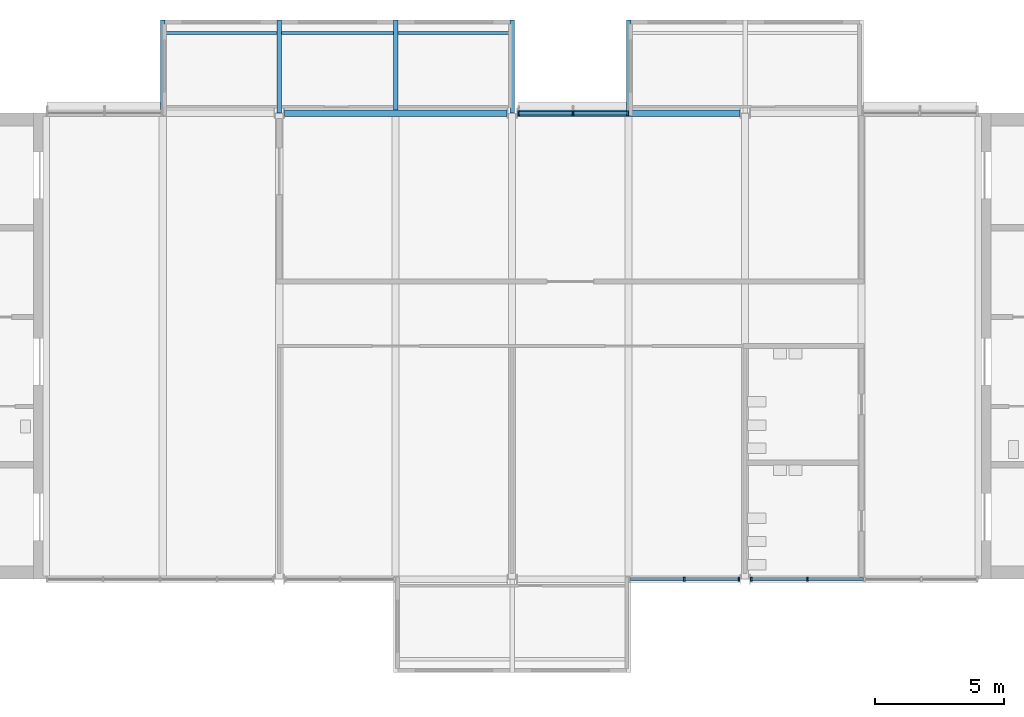
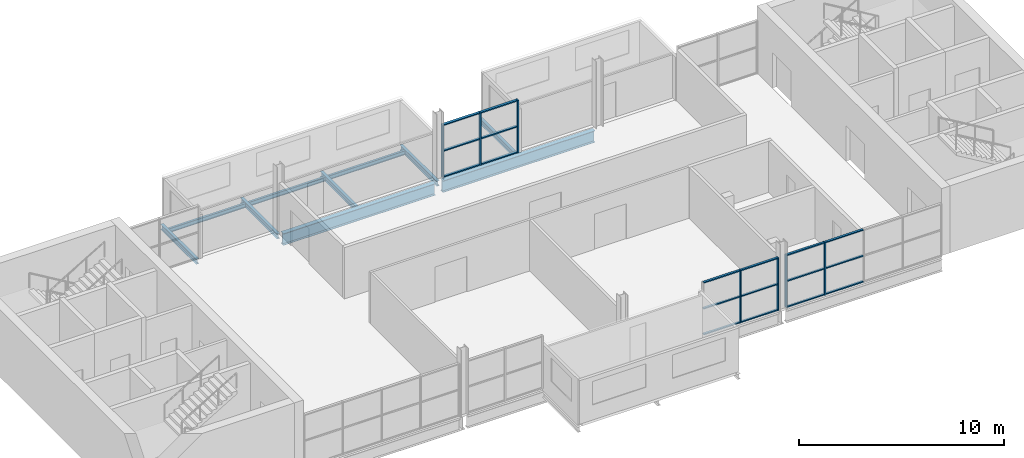
# One storey, part 2 of 10: 25 members, 10 beams, 3 elements without a shape of their own.
"""IFC4 building model written with IfcOpenShell, lengths in metres."""

from ifc_helpers import new_model, si_unit, direction, frame, origin, origin_2d, place, context, subcontext, project, spatial, rectangle, i_section, extrude, material, layer, layer_set, material_profile, profile_set, type_object, element, aggregate, save


model = new_model("IFC4")

# Units and contexts
model_context = context("Model", 3, precision=1e-05, world=origin(), true_north=direction((0.0, 1.0)))
body_context = subcontext(model_context, "Body", "Model", "MODEL_VIEW")
ifc_project = project(units=[si_unit("LENGTHUNIT", "METRE"), si_unit("AREAUNIT", "SQUARE_METRE"), si_unit("VOLUMEUNIT", "CUBIC_METRE"), si_unit("PLANEANGLEUNIT", "RADIAN"), si_unit("MASSUNIT", "GRAM", prefix="KILO")], contexts=[model_context])

# Site, building, storey
site_placement = place(None, origin())
site = spatial("IfcSite", under=ifc_project, at=site_placement, CompositionType="ELEMENT")
building_placement = place(site_placement, origin())
building = spatial("IfcBuilding", under=site, at=building_placement, Name="Corbel Yard City Hall", CompositionType="ELEMENT")
storey_placement = place(building_placement, frame((0.0, 0.0, 47.199951171875)))
storey = spatial("IfcBuildingStorey", under=building, at=storey_placement, Name="L11", CompositionType="ELEMENT", Elevation=47.199951171875)

# Beams
ifc_material_1 = material(Name="Steel Grade 350", Category="steel")
ifc_material_profile_1 = material_profile(ifc_material_1, i_section(OverallWidth=0.25, OverallDepth=0.699951171875, WebThickness=0.010009765625, FlangeThickness=0.02001953125, at=origin_2d()), Name="700WB130")
ifc_profile_set_1 = profile_set([ifc_material_profile_1], Name="Steel Grade 350")
beam_type_1 = type_object("IfcBeamType", Name="Edge beam 700WB130", PredefinedType="BEAM", material=ifc_profile_set_1)
for number, where, z_axis, x_axis, name in (
    (1, (18.20703125, 117.0, -0.5), (1.0, 0.0, 0.0), (0.0, 1.0, 0.0), "Edge beam 700WB130 EB9 L11tower"),
    (2, (27.20703125, 117.0, -0.5), (1.0, 0.0, 0.0), (0.0, 1.0, 0.0), "Edge beam 700WB130 EB9 L11tower"),
):
    element("IfcBeam", number, at=place(storey_placement, frame(where, z_axis=z_axis, x_axis=x_axis)), inside=storey, type_object=beam_type_1, Name=name, PredefinedType="BEAM", context=body_context, shape_type="SweptSolid", body=[
        extrude(i_section(OverallWidth=0.25, OverallDepth=0.699951171875, WebThickness=0.010009765625, FlangeThickness=0.02001953125, at=origin_2d()), origin(), (0.0, 0.0, 1.0), 8.5859375),
    ])

# Curtain wall, members
ifc_material_2 = material(Name="Aluminium extrusion", Category="aluminium")
ifc_layer_1 = layer(ifc_material_2, 0.14990234375)
ifc_layer_set_1 = layer_set([ifc_layer_1], Name="Aluminium extrusion")
curtain_wall_type_1 = type_object("IfcCurtainWallType", Name="CW2", PredefinedType="USERDEFINED", material=ifc_layer_set_1)
curtain_wall_1_placement = place(storey_placement, origin())
curtain_wall_1 = element("IfcCurtainWall", 3, at=curtain_wall_1_placement, inside=storey, type_object=curtain_wall_type_1, Name="Curtain wall CW2 L11", ObjectType="CURTAIN WALL", PredefinedType="USERDEFINED")
ifc_material_profile_2 = material_profile(ifc_material_2, rectangle(XDim=0.14990234375, YDim=0.06494140625, at=origin_2d()), Name="150x65")
ifc_profile_set_2 = profile_set([ifc_material_profile_2], Name="Aluminium extrusion")
member_type_1 = type_object("IfcMemberType", Name="ML2", PredefinedType="MULLION", material=ifc_profile_set_2)
member_1_placement = place(storey_placement, frame((33.646484375, 99.0, 0.0), z_axis=(0.0, 0.0, 1.0), x_axis=(0.0, 1.0, 0.0)))
member_1 = element("IfcMember", 4, at=member_1_placement, type_object=member_type_1, Name="CW2 mullion 2", PredefinedType="MULLION", context=body_context, shape_type="SweptSolid", body=[
    extrude(rectangle(XDim=0.14990234375, YDim=0.06494140625, at=origin_2d()), origin(), (0.0, 0.0, 1.0), 3.150146484375),
])
member_2_placement = place(storey_placement, frame((35.760498046875, 99.0, 0.0), z_axis=(0.0, 0.0, 1.0), x_axis=(0.0, 1.0, 0.0)))
member_2 = element("IfcMember", 5, at=member_2_placement, type_object=member_type_1, Name="CW2 mullion 3", PredefinedType="MULLION", context=body_context, shape_type="SweptSolid", body=[
    extrude(rectangle(XDim=0.14990234375, YDim=0.06494140625, at=origin_2d()), origin(), (0.0, 0.0, 1.0), 3.150146484375),
])

curtain_wall_2_placement = place(storey_placement, origin())
curtain_wall_2 = element("IfcCurtainWall", 6, at=curtain_wall_2_placement, inside=storey, type_object=curtain_wall_type_1, Name="Curtain wall CW2 L11", ObjectType="CURTAIN WALL", PredefinedType="USERDEFINED")
member_3_placement = place(storey_placement, frame((36.239501953125, 99.0, 0.0), z_axis=(0.0, 0.0, 1.0), x_axis=(0.0, 1.0, 0.0)))
member_3 = element("IfcMember", 7, at=member_3_placement, type_object=member_type_1, Name="CW2 mullion 1", PredefinedType="MULLION", context=body_context, shape_type="SweptSolid", body=[
    extrude(rectangle(XDim=0.14990234375, YDim=0.06494140625, at=origin_2d()), origin(), (0.0, 0.0, 1.0), 3.150146484375),
])
member_4_placement = place(storey_placement, frame((38.4052734375, 99.0, 0.0), z_axis=(0.0, 0.0, 1.0), x_axis=(0.0, 1.0, 0.0)))
member_4 = element("IfcMember", 8, at=member_4_placement, type_object=member_type_1, Name="CW2 mullion 2", PredefinedType="MULLION", context=body_context, shape_type="SweptSolid", body=[
    extrude(rectangle(XDim=0.14990234375, YDim=0.06494140625, at=origin_2d()), origin(), (0.0, 0.0, 1.0), 3.150146484375),
])

ifc_layer_2 = layer(ifc_material_2, 0.179931640625)
ifc_layer_set_2 = layer_set([ifc_layer_2], Name="Aluminium extrusion")
curtain_wall_type_2 = type_object("IfcCurtainWallType", Name="CW6", PredefinedType="USERDEFINED", material=ifc_layer_set_2)
curtain_wall_3_placement = place(storey_placement, origin())
curtain_wall_3 = element("IfcCurtainWall", 9, at=curtain_wall_3_placement, inside=storey, type_object=curtain_wall_type_2, Name="Curtain wall CW6 L11", ObjectType="CURTAIN WALL", PredefinedType="USERDEFINED")
ifc_material_profile_3 = material_profile(ifc_material_2, rectangle(XDim=0.179931640625, YDim=0.06494140625, at=origin_2d()), Name="180x65")
ifc_profile_set_3 = profile_set([ifc_material_profile_3], Name="Aluminium extrusion")
member_type_2 = type_object("IfcMemberType", Name="ML6", PredefinedType="MULLION", material=ifc_profile_set_3)
member_5_placement = place(storey_placement, frame((27.239501953125, 117.0, 0.0), z_axis=(0.0, 0.0, 1.0), x_axis=(0.0, 1.0, 0.0)))
member_5 = element("IfcMember", 10, at=member_5_placement, type_object=member_type_2, Name="CW6 mullion 1", PredefinedType="MULLION", context=body_context, shape_type="SweptSolid", body=[
    extrude(rectangle(XDim=0.179931640625, YDim=0.06494140625, at=origin_2d()), origin(), (0.0, 0.0, 1.0), 3.150146484375),
])
member_6_placement = place(storey_placement, frame((29.353515625, 117.0, 0.0), z_axis=(0.0, 0.0, 1.0), x_axis=(0.0, 1.0, 0.0)))
member_6 = element("IfcMember", 11, at=member_6_placement, type_object=member_type_2, Name="CW6 mullion 2", PredefinedType="MULLION", context=body_context, shape_type="SweptSolid", body=[
    extrude(rectangle(XDim=0.179931640625, YDim=0.06494140625, at=origin_2d()), origin(), (0.0, 0.0, 1.0), 3.150146484375),
])
member_7_placement = place(storey_placement, frame((31.467529296875, 117.0, 0.0), z_axis=(0.0, 0.0, 1.0), x_axis=(0.0, 1.0, 0.0)))
member_7 = element("IfcMember", 12, at=member_7_placement, type_object=member_type_2, Name="CW6 mullion 3", PredefinedType="MULLION", context=body_context, shape_type="SweptSolid", body=[
    extrude(rectangle(XDim=0.179931640625, YDim=0.06494140625, at=origin_2d()), origin(), (0.0, 0.0, 1.0), 3.150146484375),
])

# Beams
ifc_material_3 = material(Name="Steel Grade 300 (300 MPa yield)", Category="steel")
ifc_material_profile_4 = material_profile(ifc_material_3, i_section(OverallWidth=0.166015625, OverallDepth=0.306884765625, WebThickness=0.006591796875, FlangeThickness=0.01171875, at=origin_2d()), Name="310UB46.2")
ifc_profile_set_4 = profile_set([ifc_material_profile_4], Name="Steel Grade 300 (300 MPa yield)")
beam_type_2 = type_object("IfcBeamType", Name="Pod stub beam 310UB46.2", PredefinedType="BEAM", material=ifc_profile_set_4)
beam_1_placement = place(storey_placement, frame((13.5, 117.125, -0.303466796875), z_axis=(0.0, 1.0, 0.0), x_axis=(-1.0, 0.0, 0.0)))
element("IfcBeam", 13, at=beam_1_placement, inside=storey, type_object=beam_type_2, Name="Pod stub 310UB46.2 CB1 L11", PredefinedType="BEAM", context=body_context, shape_type="SweptSolid", body=[
    extrude(i_section(OverallWidth=0.166015625, OverallDepth=0.306884765625, WebThickness=0.006591796875, FlangeThickness=0.01171875, at=origin_2d()), origin(), (0.0, 0.0, 1.0), 3.47509765625),
])
beam_2_placement = place(storey_placement, frame((18.0, 117.012451171875, -0.303466796875), z_axis=(0.0, 1.0, 0.0), x_axis=(-1.0, 0.0, 0.0)))
element("IfcBeam", 14, at=beam_2_placement, inside=storey, type_object=beam_type_2, Name="Pod stub 310UB46.2 CB1 L11", PredefinedType="BEAM", context=body_context, shape_type="SweptSolid", body=[
    extrude(i_section(OverallWidth=0.166015625, OverallDepth=0.306884765625, WebThickness=0.006591796875, FlangeThickness=0.01171875, at=origin_2d()), origin(), (0.0, 0.0, 1.0), 3.587646484375),
])
beam_3_placement = place(storey_placement, frame((22.5, 117.125, -0.303466796875), z_axis=(0.0, 1.0, 0.0), x_axis=(-1.0, 0.0, 0.0)))
element("IfcBeam", 15, at=beam_3_placement, inside=storey, type_object=beam_type_2, Name="Pod stub 310UB46.2 CB1 L11", PredefinedType="BEAM", context=body_context, shape_type="SweptSolid", body=[
    extrude(i_section(OverallWidth=0.166015625, OverallDepth=0.306884765625, WebThickness=0.006591796875, FlangeThickness=0.01171875, at=origin_2d()), origin(), (0.0, 0.0, 1.0), 3.47509765625),
])
beam_4_placement = place(storey_placement, frame((27.0, 117.012451171875, -0.303466796875), z_axis=(0.0, 1.0, 0.0), x_axis=(-1.0, 0.0, 0.0)))
element("IfcBeam", 16, at=beam_4_placement, inside=storey, type_object=beam_type_2, Name="Pod stub 310UB46.2 CB1 L11", PredefinedType="BEAM", context=body_context, shape_type="SweptSolid", body=[
    extrude(i_section(OverallWidth=0.166015625, OverallDepth=0.306884765625, WebThickness=0.006591796875, FlangeThickness=0.01171875, at=origin_2d()), origin(), (0.0, 0.0, 1.0), 3.587646484375),
])
beam_5_placement = place(storey_placement, frame((31.5, 117.125, -0.303466796875), z_axis=(0.0, 1.0, 0.0), x_axis=(-1.0, 0.0, 0.0)))
element("IfcBeam", 17, at=beam_5_placement, inside=storey, type_object=beam_type_2, Name="Pod stub 310UB46.2 CB1 L11", PredefinedType="BEAM", context=body_context, shape_type="SweptSolid", body=[
    extrude(i_section(OverallWidth=0.166015625, OverallDepth=0.306884765625, WebThickness=0.006591796875, FlangeThickness=0.01171875, at=origin_2d()), origin(), (0.0, 0.0, 1.0), 3.47509765625),
])
ifc_material_profile_5 = material_profile(ifc_material_3, i_section(OverallWidth=0.1240234375, OverallDepth=0.248046875, WebThickness=0.0048828125, FlangeThickness=0.008056640625, at=origin_2d()), Name="250UB25.7")
ifc_profile_set_5 = profile_set([ifc_material_profile_5], Name="Steel Grade 300 (300 MPa yield)")
beam_type_3 = type_object("IfcBeamType", Name="Pod tip beam", PredefinedType="BEAM", material=ifc_profile_set_5)
for number, where, z_axis, x_axis, name in (
    (18, (13.5830078125, 120.10009765625, -0.27392578125), (1.0, 0.0, 0.0), (0.0, 1.0, 0.0), "Pod tip beam"),
    (19, (18.0830078125, 120.10009765625, -0.27392578125), (1.0, 0.0, 0.0), (0.0, 1.0, 0.0), "Pod tip beam"),
    (20, (22.5830078125, 120.10009765625, -0.27392578125), (1.0, 0.0, 0.0), (0.0, 1.0, 0.0), "Pod tip beam"),
):
    element("IfcBeam", number, at=place(storey_placement, frame(where, z_axis=z_axis, x_axis=x_axis)), inside=storey, type_object=beam_type_3, Name=name, PredefinedType="BEAM", context=body_context, shape_type="SweptSolid", body=[
        extrude(i_section(OverallWidth=0.1240234375, OverallDepth=0.248046875, WebThickness=0.0048828125, FlangeThickness=0.008056640625, at=origin_2d()), origin(), (0.0, 0.0, 1.0), 4.333984375),
    ])

# Member
ifc_material_profile_6 = material_profile(ifc_material_2, rectangle(XDim=0.1201171875, YDim=0.06494140625, at=origin_2d()), Name="120x65")
ifc_profile_set_6 = profile_set([ifc_material_profile_6], Name="Aluminium extrusion")
member_type_3 = type_object("IfcMemberType", Name="TR2", PredefinedType="USERDEFINED", material=ifc_profile_set_6)
member_8_placement = place(storey_placement, frame((31.56494140625, 99.0, 0.032470703125), z_axis=(1.0, 0.0, 0.0), x_axis=(0.0, 1.0, 0.0)))
member_8 = element("IfcMember", 21, at=member_8_placement, type_object=member_type_3, Name="CW2 transom 1.1", ObjectType="TRANSOM", PredefinedType="USERDEFINED", context=body_context, shape_type="SweptSolid", body=[
    extrude(rectangle(XDim=0.1201171875, YDim=0.06494140625, at=origin_2d()), origin(), (0.0, 0.0, 1.0), 2.049072265625),
])

member_9_placement = place(storey_placement, frame((31.56494140625, 99.0, 1.574951171875), z_axis=(1.0, 0.0, 0.0), x_axis=(0.0, 1.0, 0.0)))
member_9 = element("IfcMember", 22, at=member_9_placement, type_object=member_type_3, Name="CW2 transom 1.2", ObjectType="TRANSOM", PredefinedType="USERDEFINED", context=body_context, shape_type="SweptSolid", body=[
    extrude(rectangle(XDim=0.1201171875, YDim=0.06494140625, at=origin_2d()), origin(), (0.0, 0.0, 1.0), 2.049072265625),
])

member_10_placement = place(storey_placement, frame((31.56494140625, 99.0, 3.117431640625), z_axis=(1.0, 0.0, 0.0), x_axis=(0.0, 1.0, 0.0)))
member_10 = element("IfcMember", 23, at=member_10_placement, type_object=member_type_3, Name="CW2 transom 1.3", ObjectType="TRANSOM", PredefinedType="USERDEFINED", context=body_context, shape_type="SweptSolid", body=[
    extrude(rectangle(XDim=0.1201171875, YDim=0.06494140625, at=origin_2d()), origin(), (0.0, 0.0, 1.0), 2.049072265625),
])

member_11_placement = place(storey_placement, frame((33.678955078125, 99.0, 0.032470703125), z_axis=(1.0, 0.0, 0.0), x_axis=(0.0, 1.0, 0.0)))
member_11 = element("IfcMember", 24, at=member_11_placement, type_object=member_type_3, Name="CW2 transom 2.1", ObjectType="TRANSOM", PredefinedType="USERDEFINED", context=body_context, shape_type="SweptSolid", body=[
    extrude(rectangle(XDim=0.1201171875, YDim=0.06494140625, at=origin_2d()), origin(), (0.0, 0.0, 1.0), 2.049072265625),
])

member_12_placement = place(storey_placement, frame((33.678955078125, 99.0, 1.574951171875), z_axis=(1.0, 0.0, 0.0), x_axis=(0.0, 1.0, 0.0)))
member_12 = element("IfcMember", 25, at=member_12_placement, type_object=member_type_3, Name="CW2 transom 2.2", ObjectType="TRANSOM", PredefinedType="USERDEFINED", context=body_context, shape_type="SweptSolid", body=[
    extrude(rectangle(XDim=0.1201171875, YDim=0.06494140625, at=origin_2d()), origin(), (0.0, 0.0, 1.0), 2.049072265625),
])

member_13_placement = place(storey_placement, frame((33.678955078125, 99.0, 3.117431640625), z_axis=(1.0, 0.0, 0.0), x_axis=(0.0, 1.0, 0.0)))
member_13 = element("IfcMember", 26, at=member_13_placement, type_object=member_type_3, Name="CW2 transom 2.3", ObjectType="TRANSOM", PredefinedType="USERDEFINED", context=body_context, shape_type="SweptSolid", body=[
    extrude(rectangle(XDim=0.1201171875, YDim=0.06494140625, at=origin_2d()), origin(), (0.0, 0.0, 1.0), 2.049072265625),
])

aggregate(curtain_wall_1, [member_1, member_2, member_8, member_9, member_10, member_11, member_12, member_13])

member_14_placement = place(storey_placement, frame((36.27197265625, 99.0, 0.032470703125), z_axis=(1.0, 0.0, 0.0), x_axis=(0.0, 1.0, 0.0)))
member_14 = element("IfcMember", 27, at=member_14_placement, type_object=member_type_3, Name="CW2 transom 1.1", ObjectType="TRANSOM", PredefinedType="USERDEFINED", context=body_context, shape_type="SweptSolid", body=[
    extrude(rectangle(XDim=0.1201171875, YDim=0.06494140625, at=origin_2d()), origin(), (0.0, 0.0, 1.0), 2.100830078125),
])

member_15_placement = place(storey_placement, frame((36.27197265625, 99.0, 1.574951171875), z_axis=(1.0, 0.0, 0.0), x_axis=(0.0, 1.0, 0.0)))
member_15 = element("IfcMember", 28, at=member_15_placement, type_object=member_type_3, Name="CW2 transom 1.2", ObjectType="TRANSOM", PredefinedType="USERDEFINED", context=body_context, shape_type="SweptSolid", body=[
    extrude(rectangle(XDim=0.1201171875, YDim=0.06494140625, at=origin_2d()), origin(), (0.0, 0.0, 1.0), 2.100830078125),
])

member_16_placement = place(storey_placement, frame((36.27197265625, 99.0, 3.117431640625), z_axis=(1.0, 0.0, 0.0), x_axis=(0.0, 1.0, 0.0)))
member_16 = element("IfcMember", 29, at=member_16_placement, type_object=member_type_3, Name="CW2 transom 1.3", ObjectType="TRANSOM", PredefinedType="USERDEFINED", context=body_context, shape_type="SweptSolid", body=[
    extrude(rectangle(XDim=0.1201171875, YDim=0.06494140625, at=origin_2d()), origin(), (0.0, 0.0, 1.0), 2.100830078125),
])

member_17_placement = place(storey_placement, frame((38.437744140625, 99.0, 0.032470703125), z_axis=(1.0, 0.0, 0.0), x_axis=(0.0, 1.0, 0.0)))
member_17 = element("IfcMember", 30, at=member_17_placement, type_object=member_type_3, Name="CW2 transom 2.1", ObjectType="TRANSOM", PredefinedType="USERDEFINED", context=body_context, shape_type="SweptSolid", body=[
    extrude(rectangle(XDim=0.1201171875, YDim=0.06494140625, at=origin_2d()), origin(), (0.0, 0.0, 1.0), 2.13330078125),
])

member_18_placement = place(storey_placement, frame((38.437744140625, 99.0, 1.574951171875), z_axis=(1.0, 0.0, 0.0), x_axis=(0.0, 1.0, 0.0)))
member_18 = element("IfcMember", 31, at=member_18_placement, type_object=member_type_3, Name="CW2 transom 2.2", ObjectType="TRANSOM", PredefinedType="USERDEFINED", context=body_context, shape_type="SweptSolid", body=[
    extrude(rectangle(XDim=0.1201171875, YDim=0.06494140625, at=origin_2d()), origin(), (0.0, 0.0, 1.0), 2.13330078125),
])

member_19_placement = place(storey_placement, frame((38.437744140625, 99.0, 3.117431640625), z_axis=(1.0, 0.0, 0.0), x_axis=(0.0, 1.0, 0.0)))
member_19 = element("IfcMember", 32, at=member_19_placement, type_object=member_type_3, Name="CW2 transom 2.3", ObjectType="TRANSOM", PredefinedType="USERDEFINED", context=body_context, shape_type="SweptSolid", body=[
    extrude(rectangle(XDim=0.1201171875, YDim=0.06494140625, at=origin_2d()), origin(), (0.0, 0.0, 1.0), 2.13330078125),
])

aggregate(curtain_wall_2, [member_3, member_4, member_14, member_15, member_16, member_17, member_18, member_19])

ifc_material_profile_7 = material_profile(ifc_material_2, rectangle(XDim=0.139892578125, YDim=0.06494140625, at=origin_2d()), Name="140x65")
ifc_profile_set_7 = profile_set([ifc_material_profile_7], Name="Aluminium extrusion")
member_type_4 = type_object("IfcMemberType", Name="TR6", PredefinedType="USERDEFINED", material=ifc_profile_set_7)
member_20_placement = place(storey_placement, frame((27.27197265625, 117.0, 0.032470703125), z_axis=(1.0, 0.0, 0.0), x_axis=(0.0, 1.0, 0.0)))
member_20 = element("IfcMember", 33, at=member_20_placement, type_object=member_type_4, Name="CW6 transom 1.1", ObjectType="TRANSOM", PredefinedType="USERDEFINED", context=body_context, shape_type="SweptSolid", body=[
    extrude(rectangle(XDim=0.139892578125, YDim=0.06494140625, at=origin_2d()), origin(), (0.0, 0.0, 1.0), 2.049072265625),
])

member_21_placement = place(storey_placement, frame((27.27197265625, 117.0, 1.574951171875), z_axis=(1.0, 0.0, 0.0), x_axis=(0.0, 1.0, 0.0)))
member_21 = element("IfcMember", 34, at=member_21_placement, type_object=member_type_4, Name="CW6 transom 1.2", ObjectType="TRANSOM", PredefinedType="USERDEFINED", context=body_context, shape_type="SweptSolid", body=[
    extrude(rectangle(XDim=0.139892578125, YDim=0.06494140625, at=origin_2d()), origin(), (0.0, 0.0, 1.0), 2.049072265625),
])

member_22_placement = place(storey_placement, frame((27.27197265625, 117.0, 3.117431640625), z_axis=(1.0, 0.0, 0.0), x_axis=(0.0, 1.0, 0.0)))
member_22 = element("IfcMember", 35, at=member_22_placement, type_object=member_type_4, Name="CW6 transom 1.3", ObjectType="TRANSOM", PredefinedType="USERDEFINED", context=body_context, shape_type="SweptSolid", body=[
    extrude(rectangle(XDim=0.139892578125, YDim=0.06494140625, at=origin_2d()), origin(), (0.0, 0.0, 1.0), 2.049072265625),
])

member_23_placement = place(storey_placement, frame((29.385986328125, 117.0, 0.032470703125), z_axis=(1.0, 0.0, 0.0), x_axis=(0.0, 1.0, 0.0)))
member_23 = element("IfcMember", 36, at=member_23_placement, type_object=member_type_4, Name="CW6 transom 2.1", ObjectType="TRANSOM", PredefinedType="USERDEFINED", context=body_context, shape_type="SweptSolid", body=[
    extrude(rectangle(XDim=0.139892578125, YDim=0.06494140625, at=origin_2d()), origin(), (0.0, 0.0, 1.0), 2.049072265625),
])

member_24_placement = place(storey_placement, frame((29.385986328125, 117.0, 1.574951171875), z_axis=(1.0, 0.0, 0.0), x_axis=(0.0, 1.0, 0.0)))
member_24 = element("IfcMember", 37, at=member_24_placement, type_object=member_type_4, Name="CW6 transom 2.2", ObjectType="TRANSOM", PredefinedType="USERDEFINED", context=body_context, shape_type="SweptSolid", body=[
    extrude(rectangle(XDim=0.139892578125, YDim=0.06494140625, at=origin_2d()), origin(), (0.0, 0.0, 1.0), 2.049072265625),
])

member_25_placement = place(storey_placement, frame((29.385986328125, 117.0, 3.117431640625), z_axis=(1.0, 0.0, 0.0), x_axis=(0.0, 1.0, 0.0)))
member_25 = element("IfcMember", 38, at=member_25_placement, type_object=member_type_4, Name="CW6 transom 2.3", ObjectType="TRANSOM", PredefinedType="USERDEFINED", context=body_context, shape_type="SweptSolid", body=[
    extrude(rectangle(XDim=0.139892578125, YDim=0.06494140625, at=origin_2d()), origin(), (0.0, 0.0, 1.0), 2.049072265625),
])

aggregate(curtain_wall_3, [member_5, member_6, member_7, member_20, member_21, member_22, member_23, member_24, member_25])

save(model, "model.ifc")
